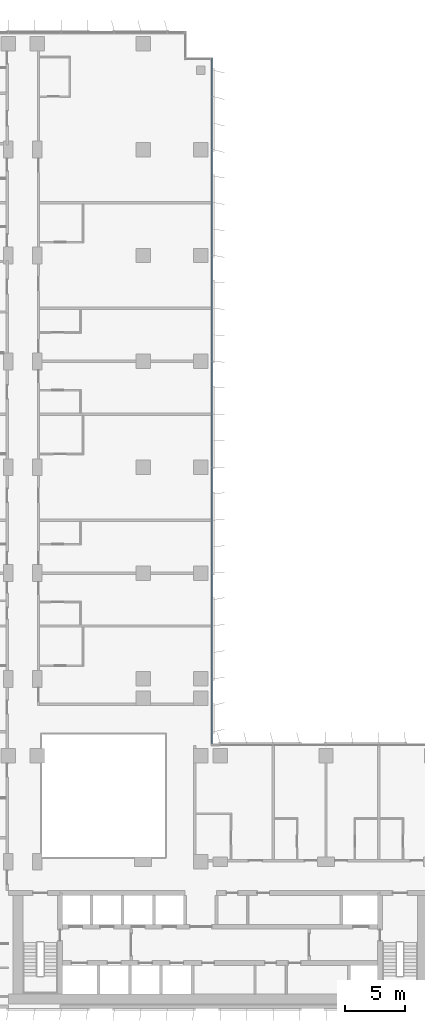
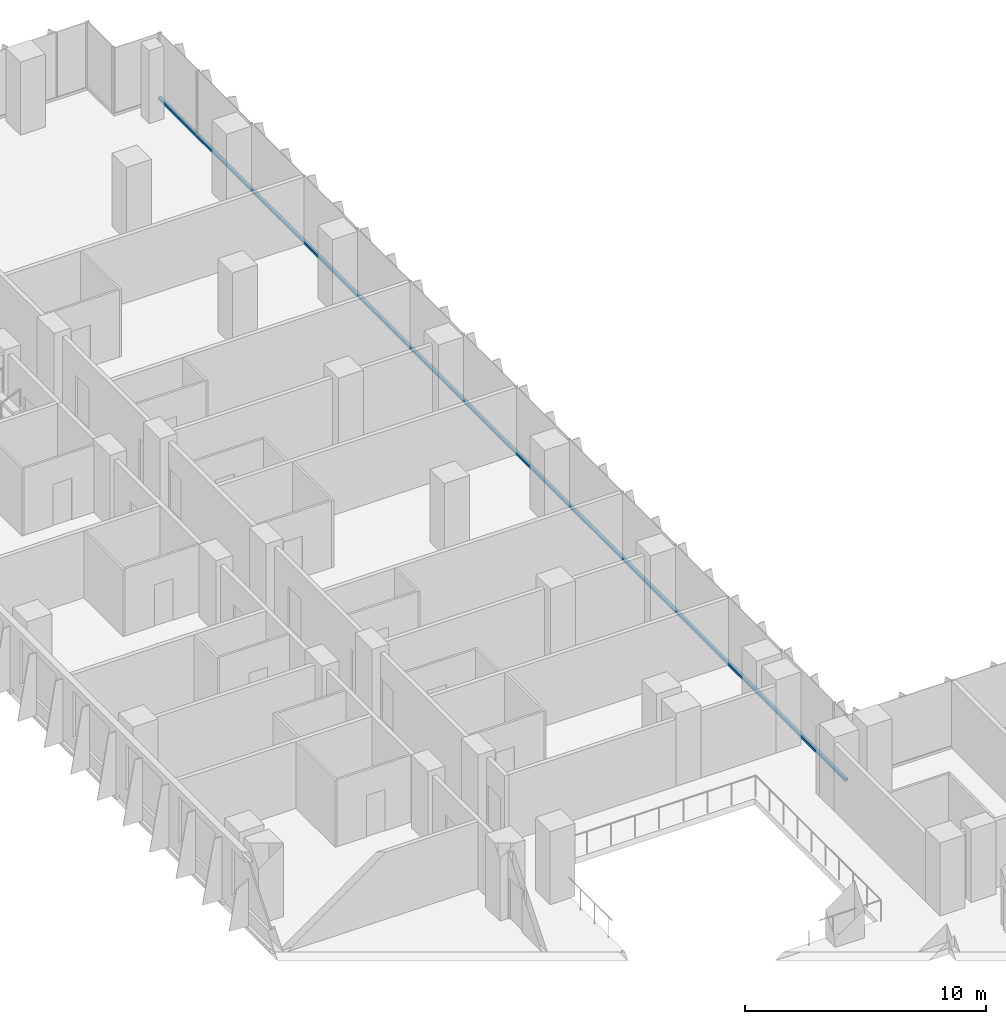
# One storey, part 6 of 23: 1 member, 1 element without a shape of its own.
"""IFC4 building model written with IfcOpenShell, lengths in metres."""

from ifc_helpers import new_model, si_unit, direction, frame, origin, origin_2d, place, context, subcontext, project, spatial, rectangle, extrude, material, material_profile, profile_set, type_object, element, aggregate, save


model = new_model("IFC4")

# Units and contexts
model_context = context("Model", 3, precision=1e-05, world=origin(), true_north=direction((0.0, 1.0)))
body_context = subcontext(model_context, "Body", "Model", "MODEL_VIEW")
ifc_project = project(units=[si_unit("LENGTHUNIT", "METRE"), si_unit("AREAUNIT", "SQUARE_METRE"), si_unit("VOLUMEUNIT", "CUBIC_METRE"), si_unit("PLANEANGLEUNIT", "RADIAN"), si_unit("MASSUNIT", "GRAM", prefix="KILO")], contexts=[model_context])

# Site, building, storey
site_placement = place(None, origin())
site = spatial("IfcSite", under=ifc_project, at=site_placement, CompositionType="ELEMENT")
building_placement = place(site_placement, origin())
building = spatial("IfcBuilding", under=site, at=building_placement, Name="Kemantara Hotel Tower", CompositionType="ELEMENT")
storey_placement = place(building_placement, frame((0.0, 0.0, 138.300048828125)))
storey = spatial("IfcBuildingStorey", under=building, at=storey_placement, Name="L33", CompositionType="ELEMENT", Elevation=138.300048828125)

# Curtain wall, member
ifc_material_1 = material(Name="Low-E tinted double insulated glass 36 mm", Category="glass")
curtain_wall_type = type_object("IfcCurtainWallType", Name="TOWER CURTAIN WALL, FRONT FACES", PredefinedType="USERDEFINED", material=ifc_material_1)
curtain_wall_placement = place(storey_placement, origin())
curtain_wall = element("IfcCurtainWall", 1, at=curtain_wall_placement, inside=storey, type_object=curtain_wall_type, Name="CW4 L33 T2-R14-1", ObjectType="TOWER CURTAIN WALL, FRONT FACES", PredefinedType="USERDEFINED")
ifc_material_2 = material(Name="Aluminium 6063-T6 bronze anodised", Category="aluminium")
ifc_material_profile = material_profile(ifc_material_2, rectangle(XDim=0.14990234375, YDim=0.1201171875, at=origin_2d()), Name="TOWER CURTAIN WALL, FRONT FACES TRANSOM")
ifc_profile_set = profile_set([ifc_material_profile], Name="Aluminium 6063-T6 bronze anodised")
member_type = type_object("IfcMemberType", Name="TOWER CURTAIN WALL, FRONT FACES TRANSOM", PredefinedType="USERDEFINED", material=ifc_profile_set)
member_placement = place(storey_placement, frame((26.72509765625, 22.0, 0.06005859375), z_axis=(0.0, 1.0, 0.0), x_axis=(-1.0, 0.0, 0.0)))
member = element("IfcMember", 2, at=member_placement, type_object=member_type, Name="CW4 sill transom T2-R14-1", ObjectType="TRANSOM", PredefinedType="USERDEFINED", context=body_context, shape_type="SweptSolid", body=[
    extrude(rectangle(XDim=0.14990234375, YDim=0.1201171875, at=origin_2d()), origin(), (0.0, 0.0, 1.0), 57.0),
])
aggregate(curtain_wall, [member])

save(model, "model.ifc")
